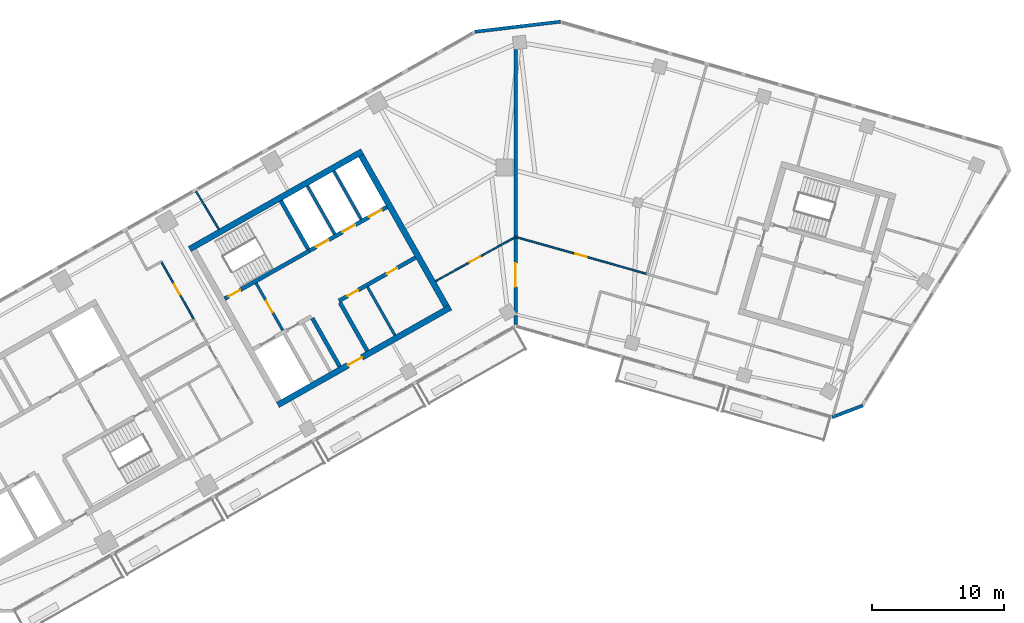
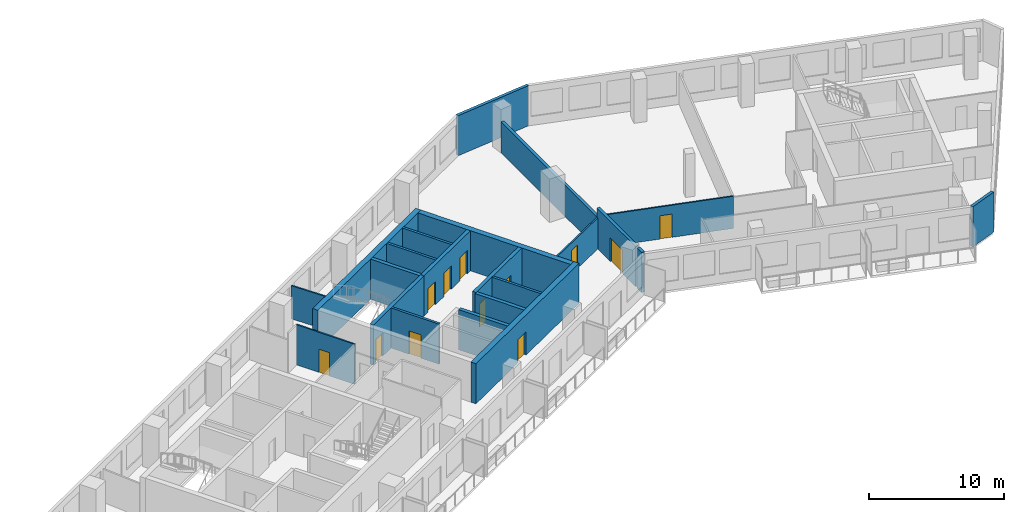
# One storey, part 6 of 12: 22 walls, 12 doors, 12 openings.
"""IFC4 building model written with IfcOpenShell, lengths in metres."""

from ifc_helpers import new_model, si_unit, direction, frame, frame_2d, origin, place, context, subcontext, project, spatial, rectangle, extrude, material, layer, layer_set, type_object, element, fill, save


model = new_model("IFC4")

# Units and contexts
model_context = context("Model", 3, precision=1e-05, world=origin(), true_north=direction((0.0, 1.0)))
body_context = subcontext(model_context, "Body", "Model", "MODEL_VIEW")
ifc_project = project(units=[si_unit("LENGTHUNIT", "METRE"), si_unit("AREAUNIT", "SQUARE_METRE"), si_unit("VOLUMEUNIT", "CUBIC_METRE"), si_unit("PLANEANGLEUNIT", "RADIAN"), si_unit("MASSUNIT", "GRAM", prefix="KILO")], contexts=[model_context])

# Site, building, storey
site_placement = place(None, origin())
site = spatial("IfcSite", under=ifc_project, at=site_placement, CompositionType="ELEMENT")
building_placement = place(site_placement, origin())
building = spatial("IfcBuilding", under=site, at=building_placement, Name="Binnacle Exchange Tower", CompositionType="ELEMENT")
storey_placement = place(building_placement, frame((0.0, 0.0, 211.39990234375)))
storey = spatial("IfcBuildingStorey", under=building, at=storey_placement, Name="L46", CompositionType="ELEMENT", Elevation=211.39990234375)

# Wall
ifc_material_1 = material(Name="Gypsum partition fire rated")
ifc_layer_1 = layer(ifc_material_1, 0.199951171875)
ifc_layer_set_1 = layer_set([ifc_layer_1], Name="Core partition 200")
wall_type_1 = type_object("IfcWallType", Name="Core partition 200", PredefinedType="PARTITIONING", material=ifc_layer_set_1)
wall_1_placement = place(storey_placement, frame((-11.201904296875, 50.96240234375, 0.0), z_axis=(0.0, 0.0, 1.0), x_axis=(0.492453686477, -0.870338650569, 0.0)))
element("IfcWall", 1, at=wall_1_placement, inside=storey, type_object=wall_type_1, Name="Core wall CRWC19", PredefinedType="PARTITIONING", context=body_context, shape_type="SweptSolid", body=[
    extrude(rectangle(XDim=4.2001953125, YDim=0.199951171875, at=frame_2d((2.10009765625, 0.0))), origin(), (0.0, 0.0, 1.0), 3.6201171875),
])

# Wall, openings, doors
ifc_material_2 = material(Name="Concrete C70/85", Category="concrete")
ifc_layer_2 = layer(ifc_material_2, 0.300048828125)
ifc_layer_set_2 = layer_set([ifc_layer_2], Name="Core wall - front 300")
wall_type_2 = type_object("IfcWallType", Name="Core wall - front 300", PredefinedType="SOLIDWALL", material=ifc_layer_set_2)
wall_2_placement = place(storey_placement, frame((-13.364501953125, 49.910888671875, 0.0), z_axis=(0.0, 0.0, 1.0), x_axis=(0.870352159619, 0.492429810477, 0.0)))
wall_2 = element("IfcWall", 2, at=wall_2_placement, inside=storey, type_object=wall_type_2, Name="Core wall CRWC3", PredefinedType="SOLIDWALL", context=body_context, shape_type="SweptSolid", body=[
    extrude(rectangle(XDim=6.64990234375, YDim=0.300048828125, at=frame_2d((3.324951171875, 0.0))), origin(), (0.0, 0.0, 1.0), 3.6201171875),
])
opening_1_placement = place(wall_2_placement, frame((0.75, 0.0, 0.0)))
opening_1 = element("IfcOpeningElement", 3, at=opening_1_placement, cuts=wall_2, Name="Opening DC18", PredefinedType="OPENING", context=body_context, shape_type="SweptSolid", body=[
    extrude(rectangle(XDim=0.89990234375, YDim=2.10009765625, at=frame_2d((0.449951171875, 1.050048828125))), frame((0.0, 0.159912109375, 0.0), z_axis=(0.0, -1.0, 0.0), x_axis=(1.0, 0.0, 0.0)), (0.0, 0.0, 1.0), 0.320068359375),
])
opening_2_placement = place(wall_2_placement, frame((4.14990234375, 0.0, 0.0)))
opening_2 = element("IfcOpeningElement", 4, at=opening_2_placement, cuts=wall_2, Name="Opening DC19", PredefinedType="OPENING", context=body_context, shape_type="SweptSolid", body=[
    extrude(rectangle(XDim=0.89990234375, YDim=2.10009765625, at=frame_2d((0.449951171875, 1.050048828125))), frame((0.0, 0.159912109375, 0.0), z_axis=(0.0, -1.0, 0.0), x_axis=(1.0, 0.0, 0.0)), (0.0, 0.0, 1.0), 0.320068359375),
])
ifc_material_3 = material(Name="Steel door leaf", Category="steel")
door_type_1 = type_object("IfcDoorType", Name="Fire door 900", OperationType="NOTDEFINED", PredefinedType="DOOR", material=ifc_material_3)
door_1_placement = place(opening_1_placement, frame((0.89990234375, 0.0, 0.0), z_axis=(0.0, 0.0, 1.0), x_axis=(-1.0, 0.0, 0.0)))
door_1 = element("IfcDoor", 5, at=door_1_placement, inside=storey, type_object=door_type_1, Name="Core room door COMMS RISER ROOM", OperationType="SINGLE_SWING_RIGHT", OverallHeight=2.10009765625, OverallWidth=0.89990234375, PredefinedType="DOOR", context=body_context, shape_type="SweptSolid", body=[
    extrude(rectangle(XDim=0.89990234375, YDim=2.10009765625, at=frame_2d((0.449951171875, 1.050048828125))), frame((0.0, 0.02490234375, 0.0), z_axis=(0.0, -1.0, 0.0), x_axis=(1.0, 0.0, 0.0)), (0.0, 0.0, 1.0), 0.050048828125),
])
fill(opening_1, door_1)
door_2_placement = place(opening_2_placement, frame((0.89990234375, 0.0, 0.0), z_axis=(0.0, 0.0, 1.0), x_axis=(-1.0, 0.0, 0.0)))
door_2 = element("IfcDoor", 6, at=door_2_placement, inside=storey, type_object=door_type_1, Name="Core room door TELECOM RISER ROOM", OperationType="SINGLE_SWING_LEFT", OverallHeight=2.10009765625, OverallWidth=0.89990234375, PredefinedType="DOOR", context=body_context, shape_type="SweptSolid", body=[
    extrude(rectangle(XDim=0.89990234375, YDim=2.10009765625, at=frame_2d((0.449951171875, 1.050048828125))), frame((0.0, 0.02490234375, 0.0), z_axis=(0.0, -1.0, 0.0), x_axis=(1.0, 0.0, 0.0)), (0.0, 0.0, 1.0), 0.050048828125),
])
fill(opening_2, door_2)

wall_3_placement = place(storey_placement, frame((-15.6181640625, 53.69140625, 0.0), z_axis=(0.0, 0.0, 1.0), x_axis=(0.870358646884, 0.492418344291, 0.0)))
wall_3 = element("IfcWall", 7, at=wall_3_placement, inside=storey, type_object=wall_type_2, Name="Core wall CRWC5", PredefinedType="SOLIDWALL", context=body_context, shape_type="SweptSolid", body=[
    extrude(rectangle(XDim=6.749755859375, YDim=0.300048828125, at=frame_2d((3.375, 0.0))), origin(), (0.0, 0.0, 1.0), 3.6201171875),
])
opening_3_placement = place(wall_3_placement, frame((0.60009765625, 0.0, 0.0)))
opening_3 = element("IfcOpeningElement", 8, at=opening_3_placement, cuts=wall_3, Name="Opening LD5", PredefinedType="OPENING", context=body_context, shape_type="SweptSolid", body=[
    extrude(rectangle(XDim=1.10009765625, YDim=2.10009765625, at=frame_2d((0.550048828125, 1.050048828125))), frame((0.0, 0.159912109375, 0.0), z_axis=(0.0, -1.0, 0.0), x_axis=(1.0, 0.0, 0.0)), (0.0, 0.0, 1.0), 0.320068359375),
])
opening_4_placement = place(wall_3_placement, frame((2.89990234375, 0.0, 0.0)))
opening_4 = element("IfcOpeningElement", 9, at=opening_4_placement, cuts=wall_3, Name="Opening LD6", PredefinedType="OPENING", context=body_context, shape_type="SweptSolid", body=[
    extrude(rectangle(XDim=1.10009765625, YDim=2.10009765625, at=frame_2d((0.550048828125, 1.050048828125))), frame((0.0, 0.159912109375, 0.0), z_axis=(0.0, -1.0, 0.0), x_axis=(1.0, 0.0, 0.0)), (0.0, 0.0, 1.0), 0.320068359375),
])
opening_5_placement = place(wall_3_placement, frame((5.199951171875, 0.0, 0.0)))
opening_5 = element("IfcOpeningElement", 10, at=opening_5_placement, cuts=wall_3, Name="Opening LD7", PredefinedType="OPENING", context=body_context, shape_type="SweptSolid", body=[
    extrude(rectangle(XDim=1.10009765625, YDim=2.10009765625, at=frame_2d((0.550048828125, 1.050048828125))), frame((0.0, 0.159912109375, 0.0), z_axis=(0.0, -1.0, 0.0), x_axis=(1.0, 0.0, 0.0)), (0.0, 0.0, 1.0), 0.320068359375),
])
door_type_2 = type_object("IfcDoorType", Name="Fire door - lift landing 1100", OperationType="NOTDEFINED", PredefinedType="DOOR", material=ifc_material_3)
door_3_placement = place(opening_3_placement, origin())
door_3 = element("IfcDoor", 11, at=door_3_placement, inside=storey, type_object=door_type_2, Name="Landing door LD5 L46", OperationType="DOUBLE_DOOR_SLIDING", OverallHeight=2.10009765625, OverallWidth=1.10009765625, PredefinedType="DOOR", context=body_context, shape_type="SweptSolid", body=[
    extrude(rectangle(XDim=1.10009765625, YDim=2.10009765625, at=frame_2d((0.550048828125, 1.050048828125))), frame((0.0, 0.02490234375, 0.0), z_axis=(0.0, -1.0, 0.0), x_axis=(1.0, 0.0, 0.0)), (0.0, 0.0, 1.0), 0.050048828125),
])
fill(opening_3, door_3)
door_4_placement = place(opening_4_placement, origin())
door_4 = element("IfcDoor", 12, at=door_4_placement, inside=storey, type_object=door_type_2, Name="Landing door LD6 L46", OperationType="DOUBLE_DOOR_SLIDING", OverallHeight=2.10009765625, OverallWidth=1.10009765625, PredefinedType="DOOR", context=body_context, shape_type="SweptSolid", body=[
    extrude(rectangle(XDim=1.10009765625, YDim=2.10009765625, at=frame_2d((0.550048828125, 1.050048828125))), frame((0.0, 0.02490234375, 0.0), z_axis=(0.0, -1.0, 0.0), x_axis=(1.0, 0.0, 0.0)), (0.0, 0.0, 1.0), 0.050048828125),
])
fill(opening_4, door_4)
door_5_placement = place(opening_5_placement, origin())
door_5 = element("IfcDoor", 13, at=door_5_placement, inside=storey, type_object=door_type_2, Name="Landing door LD7 L46", OperationType="DOUBLE_DOOR_SLIDING", OverallHeight=2.10009765625, OverallWidth=1.10009765625, PredefinedType="DOOR", context=body_context, shape_type="SweptSolid", body=[
    extrude(rectangle(XDim=1.10009765625, YDim=2.10009765625, at=frame_2d((0.550048828125, 1.050048828125))), frame((0.0, 0.02490234375, 0.0), z_axis=(0.0, -1.0, 0.0), x_axis=(1.0, 0.0, 0.0)), (0.0, 0.0, 1.0), 0.050048828125),
])
fill(opening_5, door_5)

# Walls
for number, where, z_axis, x_axis, name in (
    (14, (-15.37939453125, 48.5986328125, 0.0), (0.0, 0.0, 1.0), (0.492409653846, -0.870363563575, 0.0), "Core wall CRWC13"),
    (15, (-13.29052734375, 49.780517578125, 0.0), (0.0, 0.0, 1.0), (0.492409653846, -0.870363563575, 0.0), "Core wall CRWC15"),
):
    element("IfcWall", number, at=place(storey_placement, frame(where, z_axis=z_axis, x_axis=x_axis)), inside=storey, type_object=wall_type_2, Name=name, PredefinedType="SOLIDWALL", context=body_context, shape_type="SweptSolid", body=[
        extrude(rectangle(XDim=4.199951171875, YDim=0.300048828125, at=frame_2d((2.10009765625, 0.0))), origin(), (0.0, 0.0, 1.0), 3.6201171875),
    ])

# Wall, opening, door
ifc_layer_3 = layer(ifc_material_2, 0.449951171875)
ifc_layer_set_3 = layer_set([ifc_layer_3], Name="Core wall - outer 450")
wall_type_3 = type_object("IfcWallType", Name="Core wall - outer 450", PredefinedType="SOLIDWALL", material=ifc_layer_set_3)
wall_4_placement = place(storey_placement, frame((-17.987548828125, 42.0390625, 0.0), z_axis=(0.0, 0.0, 1.0), x_axis=(0.870360574057, 0.492414937962, 0.0)))
wall_4 = element("IfcWall", 16, at=wall_4_placement, inside=storey, type_object=wall_type_3, Name="Core wall CRWC1", PredefinedType="SOLIDWALL", context=body_context, shape_type="SweptSolid", body=[
    extrude(rectangle(XDim=15.0, YDim=0.449951171875, at=frame_2d((7.5, 0.0))), origin(), (0.0, 0.0, 1.0), 3.6201171875),
])
opening_6_placement = place(wall_4_placement, frame((6.10009765625, 0.0, 0.0)))
opening_6 = element("IfcOpeningElement", 17, at=opening_6_placement, cuts=wall_4, Name="Opening DC7", PredefinedType="OPENING", context=body_context, shape_type="SweptSolid", body=[
    extrude(rectangle(XDim=1.199951171875, YDim=2.10009765625, at=frame_2d((0.60009765625, 1.050048828125))), frame((0.0, 0.23486328125, 0.0), z_axis=(0.0, -1.0, 0.0), x_axis=(1.0, 0.0, 0.0)), (0.0, 0.0, 1.0), 0.469970703125),
])
door_type_3 = type_object("IfcDoorType", Name="Fire door 1200", OperationType="NOTDEFINED", PredefinedType="DOOR", material=ifc_material_3)
door_6_placement = place(opening_6_placement, frame((1.199951171875, 0.0, 0.0), z_axis=(0.0, 0.0, 1.0), x_axis=(-1.0, 0.0, 0.0)))
door_6 = element("IfcDoor", 18, at=door_6_placement, inside=storey, type_object=door_type_3, Name="Lift lobby entrance door core C", OperationType="SINGLE_SWING_RIGHT", OverallHeight=2.10009765625, OverallWidth=1.199951171875, PredefinedType="DOOR", context=body_context, shape_type="SweptSolid", body=[
    extrude(rectangle(XDim=1.199951171875, YDim=2.10009765625, at=frame_2d((0.60009765625, 1.050048828125))), frame((0.0, 0.02490234375, 0.0), z_axis=(0.0, -1.0, 0.0), x_axis=(1.0, 0.0, 0.0)), (0.0, 0.0, 1.0), 0.050048828125),
])
fill(opening_6, door_6)

# Walls
wall_5_placement = place(storey_placement, frame((-24.659912109375, 53.832275390625, 0.0), z_axis=(0.0, 0.0, 1.0), x_axis=(0.870353598469, 0.492427267353, 0.0)))
element("IfcWall", 19, at=wall_5_placement, inside=storey, type_object=wall_type_3, Name="Core wall CRWC6", PredefinedType="SOLIDWALL", context=body_context, shape_type="SweptSolid", body=[
    extrude(rectangle(XDim=15.000244140625, YDim=0.449951171875, at=frame_2d((7.5, 0.0))), origin(), (0.0, 0.0, 1.0), 3.6201171875),
])
wall_6_placement = place(storey_placement, frame((-11.689453125, 60.912109375, 0.0), z_axis=(0.0, 0.0, 1.0), x_axis=(0.492421378713, -0.870356930107, 0.0)))
element("IfcWall", 20, at=wall_6_placement, inside=storey, type_object=wall_type_3, Name="Core wall CRWC24", PredefinedType="SOLIDWALL", context=body_context, shape_type="SweptSolid", body=[
    extrude(rectangle(XDim=13.099853515625, YDim=0.449951171875, at=frame_2d((6.5498046875, 0.0))), origin(), (0.0, 0.0, 1.0), 3.6201171875),
])

# Wall, opening, door
ifc_layer_4 = layer(ifc_material_2, 0.300048828125)
ifc_layer_set_4 = layer_set([ifc_layer_4], Name="Core wall - stair 300")
wall_type_4 = type_object("IfcWallType", Name="Core wall - stair 300", PredefinedType="SOLIDWALL", material=ifc_layer_set_4)
wall_7_placement = place(storey_placement, frame((-22.015380859375, 50.072021484375, 0.0), z_axis=(0.0, 0.0, 1.0), x_axis=(0.870354900257, 0.492424966466, 0.0)))
wall_7 = element("IfcWall", 21, at=wall_7_placement, inside=storey, type_object=wall_type_4, Name="Core wall CRWC4", PredefinedType="SOLIDWALL", context=body_context, shape_type="SweptSolid", body=[
    extrude(rectangle(XDim=7.35009765625, YDim=0.300048828125, at=frame_2d((3.675048828125, 0.0))), origin(), (0.0, 0.0, 1.0), 3.6201171875),
])
opening_7_placement = place(wall_7_placement, frame((0.35009765625, 0.0, 0.0)))
opening_7 = element("IfcOpeningElement", 22, at=opening_7_placement, cuts=wall_7, Name="Opening DC1", PredefinedType="OPENING", context=body_context, shape_type="SweptSolid", body=[
    extrude(rectangle(XDim=1.0, YDim=2.10009765625, at=frame_2d((0.5, 1.050048828125))), frame((0.0, 0.159912109375, 0.0), z_axis=(0.0, -1.0, 0.0), x_axis=(1.0, 0.0, 0.0)), (0.0, 0.0, 1.0), 0.320068359375),
])
door_type_4 = type_object("IfcDoorType", Name="Fire door 1000", OperationType="NOTDEFINED", PredefinedType="DOOR", material=ifc_material_3)
door_7_placement = place(opening_7_placement, origin())
door_7 = element("IfcDoor", 23, at=door_7_placement, inside=storey, type_object=door_type_4, Name="Stair door ST-C1", OperationType="SINGLE_SWING_LEFT", OverallHeight=2.10009765625, OverallWidth=1.0, PredefinedType="DOOR", context=body_context, shape_type="SweptSolid", body=[
    extrude(rectangle(XDim=1.0, YDim=2.10009765625, at=frame_2d((0.5, 1.050048828125))), frame((0.0, 0.02490234375, 0.0), z_axis=(0.0, -1.0, 0.0), x_axis=(1.0, 0.0, 0.0)), (0.0, 0.0, 1.0), 0.050048828125),
])
fill(opening_7, door_7)

# Walls
wall_8_placement = place(storey_placement, frame((-17.76025390625, 57.477294921875, 0.0), z_axis=(0.0, 0.0, 1.0), x_axis=(0.49243456751, -0.870349468157, 0.0)))
element("IfcWall", 24, at=wall_8_placement, inside=storey, type_object=wall_type_4, Name="Core wall CRWC14", PredefinedType="SOLIDWALL", context=body_context, shape_type="SweptSolid", body=[
    extrude(rectangle(XDim=4.19970703125, YDim=0.300048828125, at=frame_2d((2.099853515625, 0.0))), origin(), (0.0, 0.0, 1.0), 3.6201171875),
])
ifc_material_4 = material(Name="Bronze aluminium cladding", Category="aluminium")
ifc_layer_5 = layer(ifc_material_4, 0.25)
ifc_layer_set_5 = layer_set([ifc_layer_5], Name="External wall - window wall 250")
wall_type_5 = type_object("IfcWallType", Name="External wall - window wall 250", PredefinedType="STANDARD", material=ifc_layer_set_5)
wall_9_placement = place(storey_placement, frame((26.27001953125, 41.993408203125, 0.0), z_axis=(0.0, 0.0, 1.0), x_axis=(-0.933573798066, -0.358385216722, 0.0)))
element("IfcWall", 25, at=wall_9_placement, inside=storey, type_object=wall_type_5, Name="External wall EW-G03 L46", PredefinedType="STANDARD", context=body_context, shape_type="SweptSolid", body=[
    extrude(rectangle(XDim=2.479736328125, YDim=0.25, at=frame_2d((1.23974609375, 0.0))), origin(), (0.0, 0.0, 1.0), 3.6201171875),
])
wall_10_placement = place(storey_placement, frame((-3.0712890625, 70.2734375, 0.0), z_axis=(0.0, 0.0, 1.0), x_axis=(0.993064524962, 0.11757061394, 0.0)))
element("IfcWall", 26, at=wall_10_placement, inside=storey, type_object=wall_type_5, Name="External wall EW-G07 L46", PredefinedType="STANDARD", context=body_context, shape_type="SweptSolid", body=[
    extrude(rectangle(XDim=6.505859375, YDim=0.25, at=frame_2d((3.2529296875, 0.0))), origin(), (0.0, 0.0, 1.0), 3.6201171875),
])
ifc_material_5 = material(Name="Concrete fire wall C30/37", Category="concrete")
ifc_layer_6 = layer(ifc_material_5, 0.25)
ifc_layer_set_6 = layer_set([ifc_layer_6], Name="Fire wall - compartment 250")
wall_type_6 = type_object("IfcWallType", Name="Fire wall - compartment 250", PredefinedType="PARTITIONING", material=ifc_layer_set_6)
wall_11_placement = place(storey_placement, frame((0.0, 48.1298828125, 0.0), z_axis=(0.0, 0.0, 1.0), x_axis=(0.0, 1.0, 0.0)))
element("IfcWall", 27, at=wall_11_placement, inside=storey, type_object=wall_type_6, Name="Fire Wall W18", PredefinedType="PARTITIONING", context=body_context, shape_type="SweptSolid", body=[
    extrude(rectangle(XDim=0.674072265625, YDim=0.25, at=frame_2d((0.3369140625, 0.0))), origin(), (0.0, 0.0, 1.0), 3.6201171875),
])

# Wall, opening, door
wall_12_placement = place(storey_placement, frame((0.0, 49.014892578125, 0.0), z_axis=(0.0, 0.0, 1.0), x_axis=(0.0, 1.0, 0.0)))
wall_12 = element("IfcWall", 28, at=wall_12_placement, inside=storey, type_object=wall_type_6, Name="Fire Wall W19", PredefinedType="PARTITIONING", context=body_context, shape_type="SweptSolid", body=[
    extrude(rectangle(XDim=5.735107421875, YDim=0.25, at=frame_2d((2.86767578125, 0.0))), origin(), (0.0, 0.0, 1.0), 3.6201171875),
])
opening_8_placement = place(wall_12_placement, frame((1.949951171875, 0.0, 0.0)))
opening_8 = element("IfcOpeningElement", 29, at=opening_8_placement, cuts=wall_12, Name="Opening DL45-14", PredefinedType="OPENING", context=body_context, shape_type="SweptSolid", body=[
    extrude(rectangle(XDim=1.800048828125, YDim=2.10009765625, at=frame_2d((0.89990234375, 1.050048828125))), frame((0.0, 0.135009765625, 0.0), z_axis=(0.0, -1.0, 0.0), x_axis=(1.0, 0.0, 0.0)), (0.0, 0.0, 1.0), 0.27001953125),
])
door_type_5 = type_object("IfcDoorType", Name="Fire door 1800", OperationType="NOTDEFINED", PredefinedType="DOOR", material=ifc_material_3)
door_8_placement = place(opening_8_placement, origin())
door_8 = element("IfcDoor", 30, at=door_8_placement, inside=storey, type_object=door_type_5, Name="Door DL45-14", OperationType="DOUBLE_DOOR_SINGLE_SWING", OverallHeight=2.10009765625, OverallWidth=1.800048828125, PredefinedType="DOOR", context=body_context, shape_type="SweptSolid", body=[
    extrude(rectangle(XDim=1.800048828125, YDim=2.10009765625, at=frame_2d((0.89990234375, 1.050048828125))), frame((0.0, 0.02490234375, 0.0), z_axis=(0.0, -1.0, 0.0), x_axis=(1.0, 0.0, 0.0)), (0.0, 0.0, 1.0), 0.050048828125),
])
fill(opening_8, door_8)

# Wall
wall_13_placement = place(storey_placement, frame((0.0, 54.75, 0.0), z_axis=(0.0, 0.0, 1.0), x_axis=(0.0, 1.0, 0.0)))
element("IfcWall", 31, at=wall_13_placement, inside=storey, type_object=wall_type_6, Name="Fire Wall W20", PredefinedType="PARTITIONING", context=body_context, shape_type="SweptSolid", body=[
    extrude(rectangle(XDim=14.175048828125, YDim=0.25, at=frame_2d((7.08740234375, 0.0))), origin(), (0.0, 0.0, 1.0), 2.800048828125),
])

# Wall, opening, door
ifc_material_6 = material(Name="Masonry block wall", Category="masonry")
ifc_layer_7 = layer(ifc_material_6, 0.199951171875)
ifc_layer_set_7 = layer_set([ifc_layer_7], Name="Fire wall - vestibule 200")
wall_type_7 = type_object("IfcWallType", Name="Fire wall - vestibule 200", PredefinedType="PARTITIONING", material=ifc_layer_set_7)
wall_14_placement = place(storey_placement, frame((-19.635009765625, 51.246337890625, 0.0), z_axis=(0.0, 0.0, 1.0), x_axis=(0.492408451753, -0.87036424366, 0.0)))
wall_14 = element("IfcWall", 32, at=wall_14_placement, inside=storey, type_object=wall_type_7, Name="Core wall CRWC10", PredefinedType="PARTITIONING", context=body_context, shape_type="SweptSolid", body=[
    extrude(rectangle(XDim=4.099853515625, YDim=0.199951171875, at=frame_2d((2.0498046875, 0.0))), origin(), (0.0, 0.0, 1.0), 3.6201171875),
])
opening_9_placement = place(wall_14_placement, frame((1.550048828125, 0.0, 0.0)))
opening_9 = element("IfcOpeningElement", 33, at=opening_9_placement, cuts=wall_14, Name="Opening DC3", PredefinedType="OPENING", context=body_context, shape_type="SweptSolid", body=[
    extrude(rectangle(XDim=1.0, YDim=2.10009765625, at=frame_2d((0.5, 1.050048828125))), frame((0.0, 0.10986328125, 0.0), z_axis=(0.0, -1.0, 0.0), x_axis=(1.0, 0.0, 0.0)), (0.0, 0.0, 1.0), 0.219970703125),
])
door_9_placement = place(opening_9_placement, frame((1.0, 0.0, 0.0), z_axis=(0.0, 0.0, 1.0), x_axis=(-1.0, 0.0, 0.0)))
door_9 = element("IfcDoor", 34, at=door_9_placement, inside=storey, type_object=door_type_4, Name="Vestibule door VEST-W", OperationType="SINGLE_SWING_RIGHT", OverallHeight=2.10009765625, OverallWidth=1.0, PredefinedType="DOOR", context=body_context, shape_type="SweptSolid", body=[
    extrude(rectangle(XDim=1.0, YDim=2.10009765625, at=frame_2d((0.5, 1.050048828125))), frame((0.0, 0.02490234375, 0.0), z_axis=(0.0, -1.0, 0.0), x_axis=(1.0, 0.0, 0.0)), (0.0, 0.0, 1.0), 0.050048828125),
])
fill(opening_9, door_9)

ifc_material_7 = material(Name="Gypsum partition")
ifc_layer_8 = layer(ifc_material_7, 0.125)
ifc_layer_set_8 = layer_set([ifc_layer_8], Name="Partition 125")
wall_type_8 = type_object("IfcWallType", Name="Partition 125", PredefinedType="PARTITIONING", material=ifc_layer_set_8)
wall_15_placement = place(storey_placement, frame((-26.80810546875, 52.8759765625, 0.0), z_axis=(0.0, 0.0, 1.0), x_axis=(0.492406341242, -0.870365437678, 0.0)))
wall_15 = element("IfcWall", 35, at=wall_15_placement, inside=storey, type_object=wall_type_8, Name="Partition W08", PredefinedType="PARTITIONING", context=body_context, shape_type="SweptSolid", body=[
    extrude(rectangle(XDim=5.000244140625, YDim=0.125, at=frame_2d((2.5, 0.0))), origin(), (0.0, 0.0, 1.0), 3.6201171875),
])
opening_10_placement = place(wall_15_placement, frame((1.949951171875, 0.0, 0.0)))
opening_10 = element("IfcOpeningElement", 36, at=opening_10_placement, cuts=wall_15, Name="Opening DL45-02", PredefinedType="OPENING", context=body_context, shape_type="SweptSolid", body=[
    extrude(rectangle(XDim=0.89990234375, YDim=2.10009765625, at=frame_2d((0.449951171875, 1.050048828125))), frame((0.0, 0.072509765625, 0.0), z_axis=(0.0, -1.0, 0.0), x_axis=(1.0, 0.0, 0.0)), (0.0, 0.0, 1.0), 0.14501953125),
])
ifc_material_8 = material(Name="Timber door leaf", Category="wood")
door_type_6 = type_object("IfcDoorType", Name="Door 900", OperationType="NOTDEFINED", PredefinedType="DOOR", material=ifc_material_8)
door_10_placement = place(opening_10_placement, frame((0.89990234375, 0.0, 0.0), z_axis=(0.0, 0.0, 1.0), x_axis=(-1.0, 0.0, 0.0)))
door_10 = element("IfcDoor", 37, at=door_10_placement, inside=storey, type_object=door_type_6, Name="Door DL45-02", OperationType="SINGLE_SWING_RIGHT", OverallHeight=2.10009765625, OverallWidth=0.89990234375, PredefinedType="DOOR", context=body_context, shape_type="SweptSolid", body=[
    extrude(rectangle(XDim=0.89990234375, YDim=2.10009765625, at=frame_2d((0.449951171875, 1.050048828125))), frame((0.0, 0.02490234375, 0.0), z_axis=(0.0, -1.0, 0.0), x_axis=(1.0, 0.0, 0.0)), (0.0, 0.0, 1.0), 0.050048828125),
])
fill(opening_10, door_10)

# Wall
wall_16_placement = place(storey_placement, frame((-24.1708984375, 58.180908203125, 0.0), z_axis=(0.0, 0.0, 1.0), x_axis=(0.516494881882, -0.856290276127, 0.0)))
element("IfcWall", 38, at=wall_16_placement, inside=storey, type_object=wall_type_8, Name="Partition W13", PredefinedType="PARTITIONING", context=body_context, shape_type="SweptSolid", body=[
    extrude(rectangle(XDim=3.320068359375, YDim=0.125, at=frame_2d((1.66015625, 0.0))), origin(), (0.0, 0.0, 1.0), 2.988037109375),
])

# Wall, opening, door
wall_17_placement = place(storey_placement, frame((-6.052978515625, 51.405029296875, 0.0), z_axis=(0.0, 0.0, 1.0), x_axis=(0.875247434681, 0.483675436718, 0.0)))
wall_17 = element("IfcWall", 39, at=wall_17_placement, inside=storey, type_object=wall_type_8, Name="Partition W17", PredefinedType="PARTITIONING", context=body_context, shape_type="SweptSolid", body=[
    extrude(rectangle(XDim=6.915771484375, YDim=0.125, at=frame_2d((3.4580078125, 0.0))), origin(), (0.0, 0.0, 1.0), 2.800048828125),
])
opening_11_placement = place(wall_17_placement, frame((2.949951171875, 0.0, 0.0)))
opening_11 = element("IfcOpeningElement", 40, at=opening_11_placement, cuts=wall_17, Name="Opening DL45-07", PredefinedType="OPENING", context=body_context, shape_type="SweptSolid", body=[
    extrude(rectangle(XDim=0.89990234375, YDim=2.10009765625, at=frame_2d((0.449951171875, 1.050048828125))), frame((0.0, 0.072509765625, 0.0), z_axis=(0.0, -1.0, 0.0), x_axis=(1.0, 0.0, 0.0)), (0.0, 0.0, 1.0), 0.14501953125),
])
door_11_placement = place(opening_11_placement, origin())
door_11 = element("IfcDoor", 41, at=door_11_placement, inside=storey, type_object=door_type_6, Name="Door DL45-07", OperationType="SINGLE_SWING_LEFT", OverallHeight=2.10009765625, OverallWidth=0.89990234375, PredefinedType="DOOR", context=body_context, shape_type="SweptSolid", body=[
    extrude(rectangle(XDim=0.89990234375, YDim=2.10009765625, at=frame_2d((0.449951171875, 1.050048828125))), frame((0.0, 0.02490234375, 0.0), z_axis=(0.0, -1.0, 0.0), x_axis=(1.0, 0.0, 0.0)), (0.0, 0.0, 1.0), 0.050048828125),
])
fill(opening_11, door_11)

wall_18_placement = place(storey_placement, frame((0.0, 54.75, 0.0), z_axis=(0.0, 0.0, 1.0), x_axis=(0.962504897093, -0.271264304823, 0.0)))
wall_18 = element("IfcWall", 42, at=wall_18_placement, inside=storey, type_object=wall_type_8, Name="Partition W21", PredefinedType="PARTITIONING", context=body_context, shape_type="SweptSolid", body=[
    extrude(rectangle(XDim=10.30322265625, YDim=0.125, at=frame_2d((5.151611328125, 0.0))), origin(), (0.0, 0.0, 1.0), 2.900146484375),
])
opening_12_placement = place(wall_18_placement, frame((4.699951171875, 0.0, 0.0)))
opening_12 = element("IfcOpeningElement", 43, at=opening_12_placement, cuts=wall_18, Name="Opening DL45-08", PredefinedType="OPENING", context=body_context, shape_type="SweptSolid", body=[
    extrude(rectangle(XDim=0.89990234375, YDim=2.10009765625, at=frame_2d((0.449951171875, 1.050048828125))), frame((0.0, 0.072509765625, 0.0), z_axis=(0.0, -1.0, 0.0), x_axis=(1.0, 0.0, 0.0)), (0.0, 0.0, 1.0), 0.14501953125),
])
door_12_placement = place(opening_12_placement, origin())
door_12 = element("IfcDoor", 44, at=door_12_placement, inside=storey, type_object=door_type_6, Name="Door DL45-08", OperationType="SINGLE_SWING_LEFT", OverallHeight=2.10009765625, OverallWidth=0.89990234375, PredefinedType="DOOR", context=body_context, shape_type="SweptSolid", body=[
    extrude(rectangle(XDim=0.89990234375, YDim=2.10009765625, at=frame_2d((0.449951171875, 1.050048828125))), frame((0.0, 0.02490234375, 0.0), z_axis=(0.0, -1.0, 0.0), x_axis=(1.0, 0.0, 0.0)), (0.0, 0.0, 1.0), 0.050048828125),
])
fill(opening_12, door_12)

# Walls
ifc_layer_9 = layer(ifc_material_6, 0.199951171875)
ifc_layer_set_9 = layer_set([ifc_layer_9], Name="Shaft wall 200")
wall_type_9 = type_object("IfcWallType", Name="Shaft wall 200", PredefinedType="SOLIDWALL", material=ifc_layer_set_9)
for number, where, z_axis, x_axis, name in (
    (45, (-15.75830078125, 58.60986328125, 0.0), (0.0, 0.0, 1.0), (0.492409653846, -0.870363563575, 0.0), "Core wall CRWC18"),
    (46, (-13.756591796875, 59.742431640625, 0.0), (0.0, 0.0, 1.0), (0.492409653846, -0.870363563575, 0.0), "Core wall CRWC21"),
):
    element("IfcWall", number, at=place(storey_placement, frame(where, z_axis=z_axis, x_axis=x_axis)), inside=storey, type_object=wall_type_9, Name=name, PredefinedType="SOLIDWALL", context=body_context, shape_type="SweptSolid", body=[
        extrude(rectangle(XDim=4.199951171875, YDim=0.199951171875, at=frame_2d((2.10009765625, 0.0))), origin(), (0.0, 0.0, 1.0), 3.6201171875),
    ])

save(model, "model.ifc")
